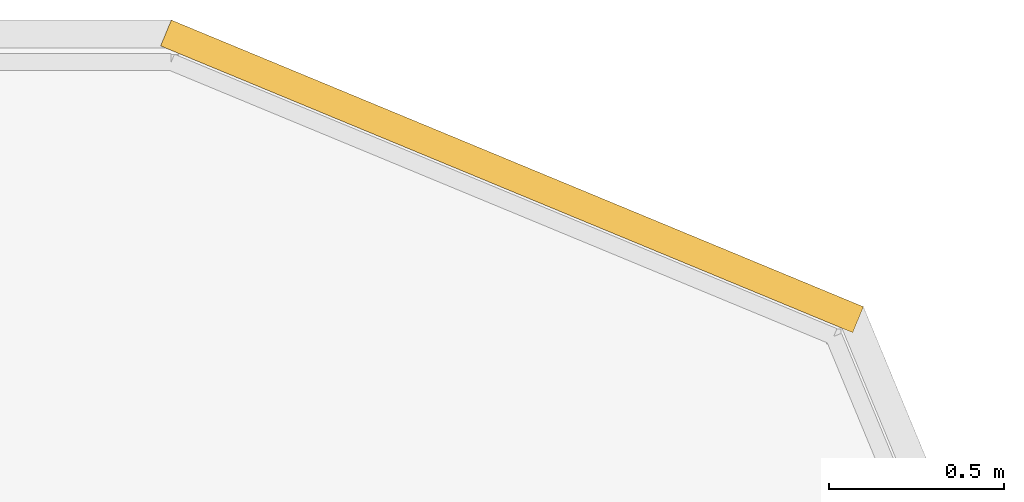
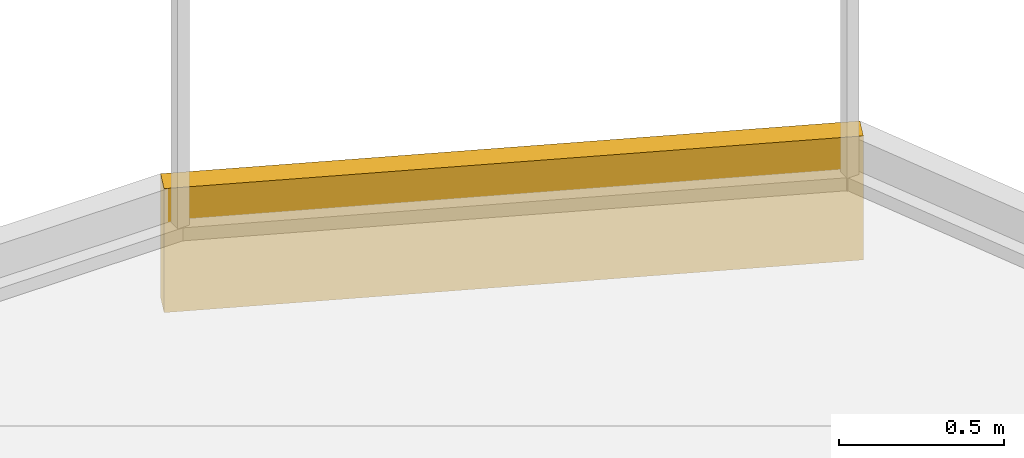
# One storey, part 14 of 14: 1 covering.
"""IFC4 building model written with IfcOpenShell, lengths in metres."""

from ifc_helpers import new_model, si_unit, direction, frame, frame_2d, origin, place, context, subcontext, project, spatial, rectangle, extrude, material, layer, layer_set, type_object, element, save


model = new_model("IFC4")

# Units and contexts
model_context = context("Model", 3, precision=1e-05, world=origin(), true_north=direction((0.0, 1.0)))
body_context = subcontext(model_context, "Body", "Model", "MODEL_VIEW")
ifc_project = project(units=[si_unit("LENGTHUNIT", "METRE"), si_unit("AREAUNIT", "SQUARE_METRE"), si_unit("VOLUMEUNIT", "CUBIC_METRE"), si_unit("PLANEANGLEUNIT", "RADIAN"), si_unit("MASSUNIT", "GRAM", prefix="KILO")], contexts=[model_context])

# Site, building, storey
site_placement = place(None, origin())
site = spatial("IfcSite", under=ifc_project, at=site_placement, CompositionType="ELEMENT")
building_placement = place(site_placement, origin())
building = spatial("IfcBuilding", under=site, at=building_placement, Name="Zulmaris Gate Convention Tower", CompositionType="ELEMENT")
storey_placement = place(building_placement, frame((0.0, 0.0, 45.050048828125)))
storey = spatial("IfcBuildingStorey", under=building, at=storey_placement, Name="L10", CompositionType="ELEMENT", Elevation=45.050048828125)

# Covering
ifc_material = material(Name="White Glazed Architectural Precast Concrete C40/50", Category="concrete")
ifc_layer = layer(ifc_material, 0.080078125, Name="White Glazed Architectural Precast Concrete C40/50")
ifc_layer_set = layer_set([ifc_layer], Name="White Glazed Architectural Precast Concrete C40/50")
covering_type = type_object("IfcCoveringType", Name="CLAD-TRAY-FASCIA", PredefinedType="CLADDING", material=ifc_layer_set)
covering_placement = place(storey_placement, frame((30.16455078125, 27.44287109375, -0.2900390625), z_axis=(0.0, 0.0, 1.0), x_axis=(-0.923873803533, 0.382697263049, 0.0)))
element("IfcCovering", 1, at=covering_placement, inside=storey, type_object=covering_type, Name="FSC-L10-TR-07", PredefinedType="CLADDING", context=body_context, shape_type="SweptSolid", body=[
    extrude(rectangle(XDim=2.142822265625, YDim=0.080078125, at=frame_2d((1.0712890625, 0.0))), origin(), (0.0, 0.0, 1.0), 0.4599609375),
])

save(model, "model.ifc")
